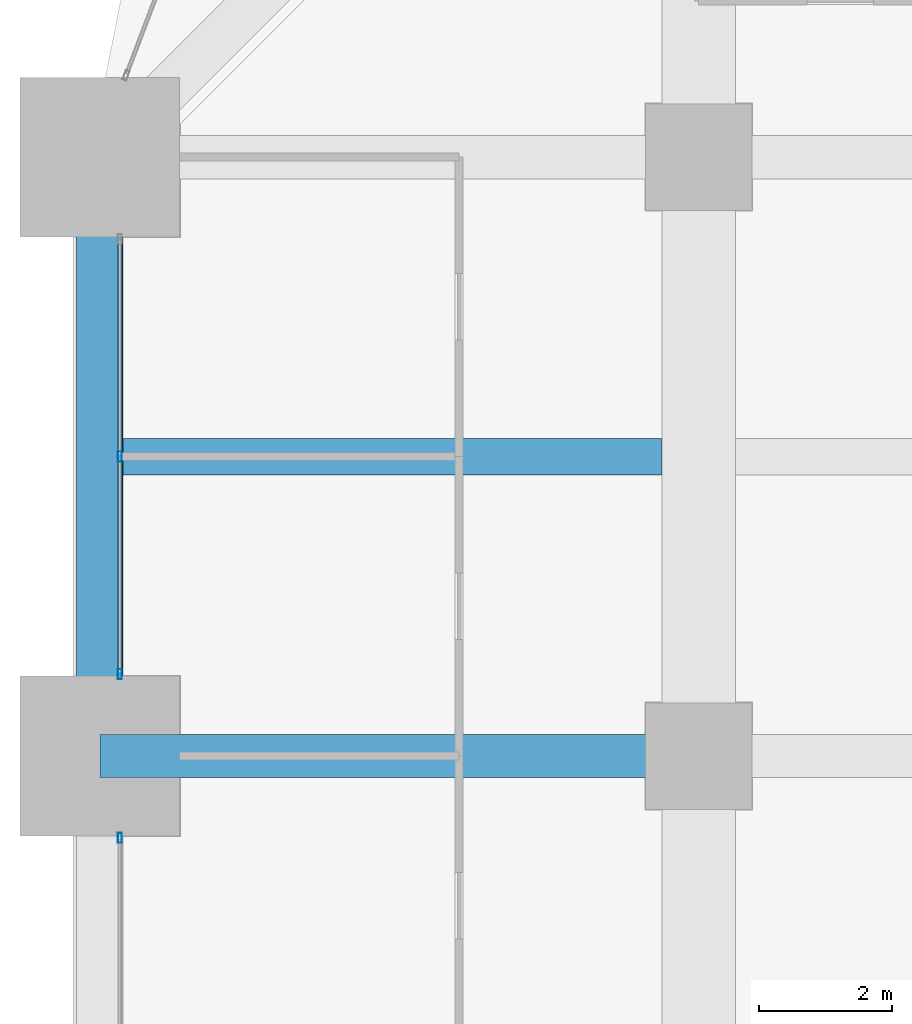
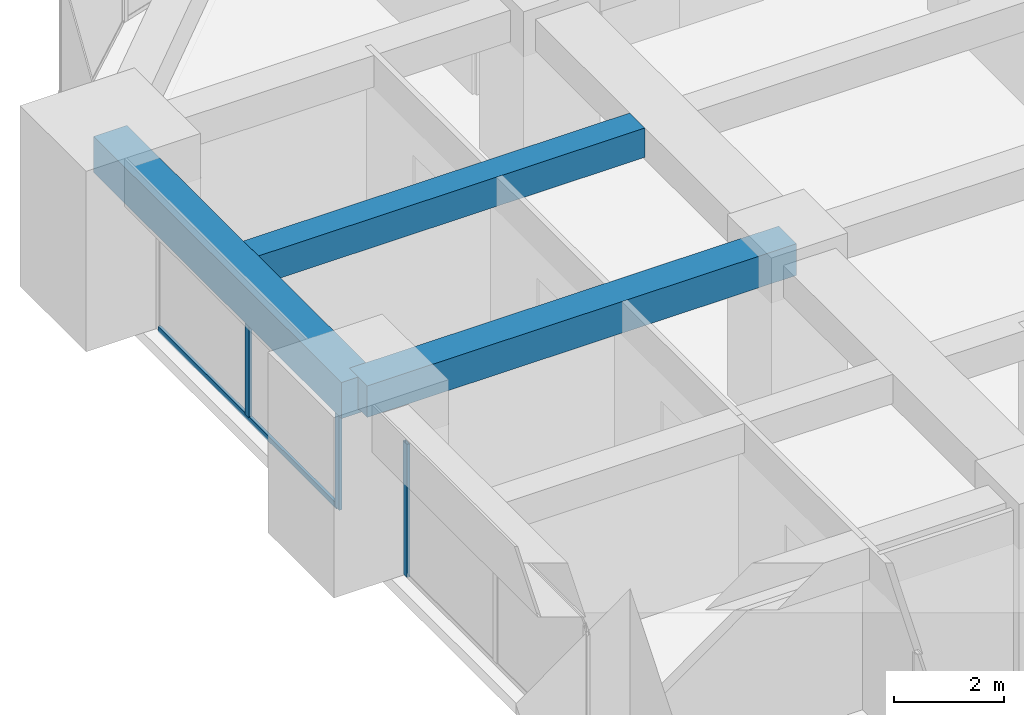
# One storey, part 11 of 34: 4 members, 3 beams, 2 elements without a shape of their own.
"""IFC4 building model written with IfcOpenShell, lengths in metres."""

from ifc_helpers import new_model, si_unit, direction, frame, origin, origin_2d, place, context, subcontext, project, spatial, rectangle, hollow_rectangle, extrude, material, material_profile, profile_set, type_object, element, aggregate, save


model = new_model("IFC4")

# Units and contexts
model_context = context("Model", 3, precision=1e-05, world=origin(), true_north=direction((0.0, 1.0)))
body_context = subcontext(model_context, "Body", "Model", "MODEL_VIEW")
ifc_project = project(units=[si_unit("LENGTHUNIT", "METRE"), si_unit("AREAUNIT", "SQUARE_METRE"), si_unit("VOLUMEUNIT", "CUBIC_METRE"), si_unit("PLANEANGLEUNIT", "RADIAN"), si_unit("MASSUNIT", "GRAM", prefix="KILO")], contexts=[model_context])

# Site, building, storey
site_placement = place(None, origin())
site = spatial("IfcSite", under=ifc_project, at=site_placement, CompositionType="ELEMENT")
building_placement = place(site_placement, origin())
building = spatial("IfcBuilding", under=site, at=building_placement, Name="Zorevar Civic Tower", CompositionType="ELEMENT")
storey_placement = place(building_placement, frame((0.0, 0.0, 170.199951171875)))
storey = spatial("IfcBuildingStorey", under=building, at=storey_placement, Name="L41", CompositionType="ELEMENT", Elevation=170.199951171875)

# Beams
ifc_material_1 = material(Name="Concrete C50/60", Category="concrete")
ifc_material_profile_1 = material_profile(ifc_material_1, rectangle(XDim=0.550048828125, YDim=0.64990234375, at=origin_2d()), Name="RC 550x650")
ifc_profile_set_1 = profile_set([ifc_material_profile_1], Name="Concrete C50/60")
beam_type_1 = type_object("IfcBeamType", Name="Beam RC 550x650", PredefinedType="BEAM", material=ifc_profile_set_1)
beam_1_placement = place(storey_placement, frame((0.35009765625, 31.5, 3.425048828125), z_axis=(1.0, 0.0, 0.0), x_axis=(0.0, 1.0, 0.0)))
element("IfcBeam", 1, at=beam_1_placement, inside=storey, type_object=beam_type_1, Name="Secondary beam L42", PredefinedType="BEAM", context=body_context, shape_type="SweptSolid", body=[
    extrude(rectangle(XDim=0.550048828125, YDim=0.64990234375, at=origin_2d()), origin(), (0.0, 0.0, 1.0), 8.099853515625),
])
ifc_material_2 = material(Name="Concrete C50/60", Category="concrete")
ifc_material_profile_2 = material_profile(ifc_material_2, rectangle(XDim=0.64990234375, YDim=0.699951171875, at=origin_2d()), Name="RC 650x700")
ifc_profile_set_2 = profile_set([ifc_material_profile_2], Name="Concrete C50/60")
beam_type_2 = type_object("IfcBeamType", Name="Beam RC 650x700", PredefinedType="BEAM", material=ifc_profile_set_2)
beam_2_placement = place(storey_placement, frame((0.0, 27.0, 3.400146484375), z_axis=(1.0, 0.0, 0.0), x_axis=(0.0, 1.0, 0.0)))
element("IfcBeam", 2, at=beam_2_placement, inside=storey, type_object=beam_type_2, Name="Girder L42", PredefinedType="BEAM", context=body_context, shape_type="SweptSolid", body=[
    extrude(rectangle(XDim=0.64990234375, YDim=0.699951171875, at=origin_2d()), origin(), (0.0, 0.0, 1.0), 9.0),
])

# Curtain wall, member
ifc_material_3 = material(Name="Dark grey solar-control glass in black aluminium frame", Category="aluminium")
curtain_wall_type = type_object("IfcCurtainWallType", Name="Curtain wall CW4 high zone", PredefinedType="NOTDEFINED", material=ifc_material_3)
curtain_wall_1_placement = place(storey_placement, origin())
curtain_wall_1 = element("IfcCurtainWall", 3, at=curtain_wall_1_placement, inside=storey, type_object=curtain_wall_type, Name="CW4 L41", PredefinedType="NOTDEFINED")
ifc_material_4 = material(Name="Aluminium, black anodised", Category="aluminium")
ifc_material_profile_3 = material_profile(ifc_material_4, hollow_rectangle(XDim=0.06005859375, YDim=0.14990234375, WallThickness=0.00390625, at=origin_2d()), Name="AL 150x60x4")
ifc_profile_set_3 = profile_set([ifc_material_profile_3], Name="Aluminium, black anodised")
member_type_1 = type_object("IfcMemberType", Name="CW4 mullion AL 150x60x4", PredefinedType="MULLION", material=ifc_profile_set_3)
member_1_placement = place(storey_placement, frame((0.300048828125, 25.77001953125, 0.0), z_axis=(0.0, 0.0, 1.0), x_axis=(-1.0, 0.0, 0.0)))
member_1 = element("IfcMember", 4, at=member_1_placement, type_object=member_type_1, Name="CW4 mullion 3", PredefinedType="MULLION", context=body_context, shape_type="SweptSolid", body=[
    extrude(hollow_rectangle(XDim=0.06005859375, YDim=0.14990234375, WallThickness=0.00390625, at=origin_2d()), origin(), (0.0, 0.0, 1.0), 2.949951171875),
])
aggregate(curtain_wall_1, [member_1])

# Curtain wall, members
curtain_wall_2_placement = place(storey_placement, origin())
curtain_wall_2 = element("IfcCurtainWall", 5, at=curtain_wall_2_placement, inside=storey, type_object=curtain_wall_type, Name="CW4 L41", PredefinedType="NOTDEFINED")
member_2_placement = place(storey_placement, frame((0.300048828125, 28.22998046875, 0.0), z_axis=(0.0, 0.0, 1.0), x_axis=(-1.0, 0.0, 0.0)))
member_2 = element("IfcMember", 6, at=member_2_placement, type_object=member_type_1, Name="CW4 mullion 1", PredefinedType="MULLION", context=body_context, shape_type="SweptSolid", body=[
    extrude(hollow_rectangle(XDim=0.06005859375, YDim=0.14990234375, WallThickness=0.00390625, at=origin_2d()), origin(), (0.0, 0.0, 1.0), 2.949951171875),
])
member_3_placement = place(storey_placement, frame((0.300048828125, 31.5, 0.06005859375), z_axis=(0.0, 0.0, 1.0), x_axis=(-1.0, 0.0, 0.0)))
member_3 = element("IfcMember", 7, at=member_3_placement, type_object=member_type_1, Name="CW4 mullion 2", PredefinedType="MULLION", context=body_context, shape_type="SweptSolid", body=[
    extrude(hollow_rectangle(XDim=0.06005859375, YDim=0.14990234375, WallThickness=0.00390625, at=origin_2d()), origin(), (0.0, 0.0, 1.0), 2.889892578125),
])
ifc_material_5 = material(Name="Aluminium, black anodised", Category="aluminium")
ifc_material_profile_4 = material_profile(ifc_material_5, hollow_rectangle(XDim=0.06005859375, YDim=0.1201171875, WallThickness=0.0029296875, at=origin_2d()), Name="AL 120x60x3")
ifc_profile_set_4 = profile_set([ifc_material_profile_4], Name="Aluminium, black anodised")
member_type_2 = type_object("IfcMemberType", Name="CW4 transom AL 120x60x3", PredefinedType="USERDEFINED", material=ifc_profile_set_4)
member_4_placement = place(storey_placement, frame((0.300048828125, 28.260009765625, 0.030029296875), z_axis=(0.0, 1.0, 0.0), x_axis=(-1.0, 0.0, 0.0)))
member_4 = element("IfcMember", 8, at=member_4_placement, type_object=member_type_2, Name="CW4 sill transom", ObjectType="TRANSOM", PredefinedType="USERDEFINED", context=body_context, shape_type="SweptSolid", body=[
    extrude(hollow_rectangle(XDim=0.06005859375, YDim=0.1201171875, WallThickness=0.0029296875, at=origin_2d()), origin(), (0.0, 0.0, 1.0), 6.47998046875),
])
aggregate(curtain_wall_2, [member_2, member_3, member_4])

# Beam
ifc_material_6 = material(Name="Concrete C50/60", Category="concrete")
ifc_material_profile_5 = material_profile(ifc_material_6, rectangle(XDim=0.699951171875, YDim=0.800048828125, at=origin_2d()), Name="RC 700x800")
ifc_profile_set_5 = profile_set([ifc_material_profile_5], Name="Concrete C50/60")
beam_type_3 = type_object("IfcBeamType", Name="Edge beam RC 700x800", PredefinedType="SPANDREL", material=ifc_profile_set_5)
beam_3_placement = place(storey_placement, frame((0.0, 27.0, 3.35009765625), z_axis=(0.0, 1.0, 0.0), x_axis=(-1.0, 0.0, 0.0)))
element("IfcBeam", 9, at=beam_3_placement, inside=storey, type_object=beam_type_3, Name="Edge beam L42", PredefinedType="SPANDREL", context=body_context, shape_type="SweptSolid", body=[
    extrude(rectangle(XDim=0.699951171875, YDim=0.800048828125, at=origin_2d()), origin(), (0.0, 0.0, 1.0), 9.0),
])

save(model, "model.ifc")
